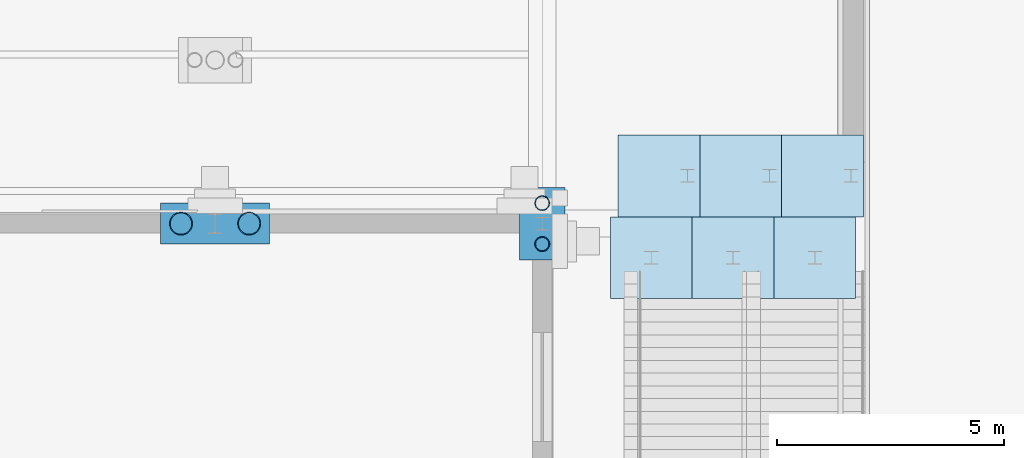
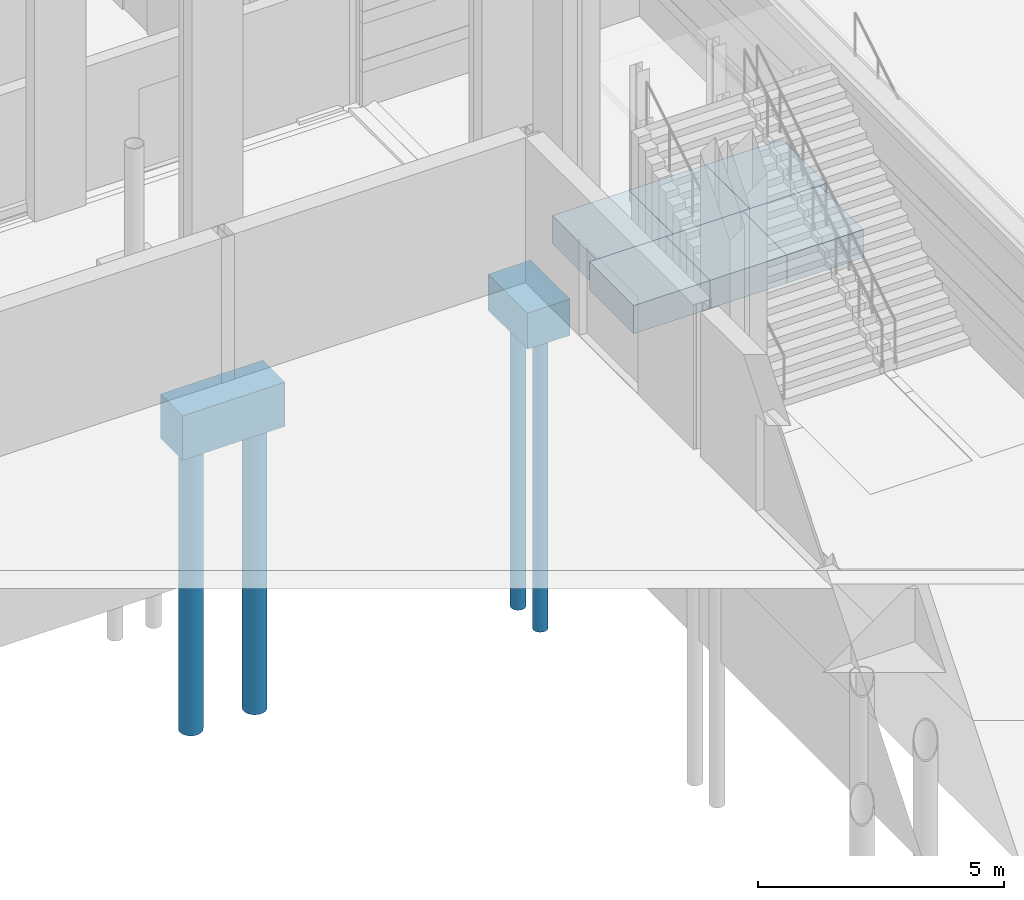
# One storey, part 22 of 148: 8 footings, 4 piles.
"""IFC4 building model written with IfcOpenShell, lengths in metres."""

from ifc_helpers import new_model, si_unit, direction, frame, origin, origin_2d, place, context, subcontext, project, spatial, rectangle, hollow_circle, extrude, material, layer, layer_set, material_profile, profile_set, type_object, element, save


model = new_model("IFC4")

# Units and contexts
model_context = context("Model", 3, precision=1e-05, world=origin(), true_north=direction((0.0, 1.0)))
body_context = subcontext(model_context, "Body", "Model", "MODEL_VIEW")
ifc_project = project(units=[si_unit("LENGTHUNIT", "METRE"), si_unit("AREAUNIT", "SQUARE_METRE"), si_unit("VOLUMEUNIT", "CUBIC_METRE"), si_unit("PLANEANGLEUNIT", "RADIAN"), si_unit("MASSUNIT", "GRAM", prefix="KILO")], contexts=[model_context])

# Site, building, storey
site_placement = place(None, origin())
site = spatial("IfcSite", under=ifc_project, at=site_placement, CompositionType="ELEMENT")
building_placement = place(site_placement, origin())
building = spatial("IfcBuilding", under=site, at=building_placement, Name="Kupolbacken Congress Centre", CompositionType="ELEMENT")
storey_placement = place(building_placement, origin())
storey = spatial("IfcBuildingStorey", under=building, at=storey_placement, Name="L00", CompositionType="ELEMENT", Elevation=0.0)

# Footings
ifc_material_1 = material(Name="Concrete C30/37", Category="concrete")
ifc_layer_1 = layer(ifc_material_1, 1.10009765625)
ifc_layer_set_1 = layer_set([ifc_layer_1], Name="Concrete C30/37")
footing_type_1 = type_object("IfcFootingType", Name="PC2 pile cap 2.40 x 0.90 x 1.10 m", PredefinedType="PILE_CAP", material=ifc_layer_set_1)
footing_1_placement = place(storey_placement, frame((194.39990234375, 115.199951171875, -1.400146484375), z_axis=(0.0, 0.0, 1.0), x_axis=(1.0, 0.0, 0.0)))
element("IfcFooting", 1, at=footing_1_placement, inside=storey, type_object=footing_type_1, Name="S/fnd/C-H-T8N/cap", PredefinedType="PILE_CAP", context=body_context, shape_type="SweptSolid", body=[
    extrude(rectangle(XDim=2.39990234375, YDim=0.89990234375, at=origin_2d()), origin(), (0.0, 0.0, 1.0), 1.10009765625),
])
ifc_material_2 = material(Name="Concrete C30/37", Category="concrete")
ifc_layer_2 = layer(ifc_material_2, 0.89990234375)
ifc_layer_set_2 = layer_set([ifc_layer_2], Name="Concrete C30/37")
footing_type_2 = type_object("IfcFootingType", Name="PC7 pile cap 1.60 x 1.00 x 0.90 m", PredefinedType="PILE_CAP", material=ifc_layer_set_2)
footing_2_placement = place(storey_placement, frame((201.60009765625, 115.199951171875, -1.199951171875), z_axis=(0.0, 0.0, 1.0), x_axis=(1.0, 0.0, 0.0)))
element("IfcFooting", 2, at=footing_2_placement, inside=storey, type_object=footing_type_2, Name="S/fnd/C-H-PE11/cap", PredefinedType="PILE_CAP", context=body_context, shape_type="SweptSolid", body=[
    extrude(rectangle(XDim=1.0, YDim=1.60009765625, at=origin_2d()), origin(), (0.0, 0.0, 1.0), 0.89990234375),
])
ifc_material_3 = material(Name="Concrete C30/37", Category="concrete")
ifc_layer_3 = layer(ifc_material_3, 0.699951171875)
ifc_layer_set_3 = layer_set([ifc_layer_3], Name="Concrete C30/37")
footing_type_3 = type_object("IfcFootingType", Name="PD4 pad footing 1.80 x 1.80 x 0.70 m", PredefinedType="PAD_FOOTING", material=ifc_layer_set_3)
for number, where, z_axis, x_axis, name in (
    (3, (207.77001953125, 116.25, -1.0), (0.0, 0.0, 1.0), (1.0, 0.0, 0.0), "C/xpad/XS3/2"),
    (4, (207.60009765625, 114.449951171875, -1.0), (0.0, 0.0, 1.0), (1.0, 0.0, 0.0), "C/xpad/XS3/3"),
    (5, (205.968994140625, 116.25, -1.0), (0.0, 0.0, 1.0), (1.0, 0.0, 0.0), "C/xpad/XS3/1"),
    (6, (205.800048828125, 114.449951171875, -1.0), (0.0, 0.0, 1.0), (1.0, 0.0, 0.0), "C/xpad/XS2/2"),
    (7, (204.16796875, 116.25, -1.0), (0.0, 0.0, 1.0), (1.0, 0.0, 0.0), "C/xpad/XS2/3"),
    (8, (204.0, 114.449951171875, -1.0), (0.0, 0.0, 1.0), (1.0, 0.0, 0.0), "C/xpad/XS2/1"),
):
    element("IfcFooting", number, at=place(storey_placement, frame(where, z_axis=z_axis, x_axis=x_axis)), inside=storey, type_object=footing_type_3, Name=name, PredefinedType="PAD_FOOTING", context=body_context, shape_type="SweptSolid", body=[
        extrude(rectangle(XDim=1.800048828125, YDim=1.800048828125, at=origin_2d()), origin(), (0.0, 0.0, 1.0), 0.699951171875),
    ])

# Piles
ifc_material_4 = material(Name="Steel S355", Category="steel")
ifc_material_profile_1 = material_profile(ifc_material_4, hollow_circle(Radius=0.161865234375, WallThickness=0.012451171875, at=origin_2d()), Name="CHS 323.9 x 12.5")
ifc_profile_set_1 = profile_set([ifc_material_profile_1], Name="Steel S355")
pile_type_1 = type_object("IfcPileType", Name="PL1 steel tube pile CHS 323.9 x 12.5", PredefinedType="BORED", material=ifc_profile_set_1)
for number, where, z_axis, x_axis, name in (
    (9, (201.60009765625, 114.75, -1.199951171875), (0.0, 0.0, -1.0), (1.0, 0.0, 0.0), "S/fnd/C-H-PE11/pile1"),
    (10, (201.60009765625, 115.64990234375, -1.199951171875), (0.0, 0.0, -1.0), (1.0, 0.0, 0.0), "S/fnd/C-H-PE11/pile2"),
):
    element("IfcPile", number, at=place(storey_placement, frame(where, z_axis=z_axis, x_axis=x_axis)), inside=storey, type_object=pile_type_1, Name=name, PredefinedType="BORED", context=body_context, shape_type="SweptSolid", body=[
        extrude(hollow_circle(Radius=0.161865234375, WallThickness=0.012451171875, at=origin_2d()), origin(), (0.0, 0.0, 1.0), 7.300048828125),
    ])
ifc_material_5 = material(Name="Steel S355", Category="steel")
ifc_material_profile_2 = material_profile(ifc_material_5, hollow_circle(Radius=0.25390625, WallThickness=0.02001953125, at=origin_2d()), Name="CHS 508 x 20")
ifc_profile_set_2 = profile_set([ifc_material_profile_2], Name="Steel S355")
pile_type_2 = type_object("IfcPileType", Name="PL3 steel tube pile CHS 508 x 20", PredefinedType="BORED", material=ifc_profile_set_2)
for number, where, z_axis, x_axis, name in (
    (11, (193.64990234375, 115.199951171875, -1.39990234375), (0.0, 0.0, -1.0), (1.0, 0.0, 0.0), "S/fnd/C-H-T8N/pile1"),
    (12, (195.14990234375, 115.199951171875, -1.39990234375), (0.0, 0.0, -1.0), (1.0, 0.0, 0.0), "S/fnd/C-H-T8N/pile2"),
):
    element("IfcPile", number, at=place(storey_placement, frame(where, z_axis=z_axis, x_axis=x_axis)), inside=storey, type_object=pile_type_2, Name=name, PredefinedType="BORED", context=body_context, shape_type="SweptSolid", body=[
        extrude(hollow_circle(Radius=0.25390625, WallThickness=0.02001953125, at=origin_2d()), origin(), (0.0, 0.0, 1.0), 7.10009765625),
    ])

save(model, "model.ifc")
